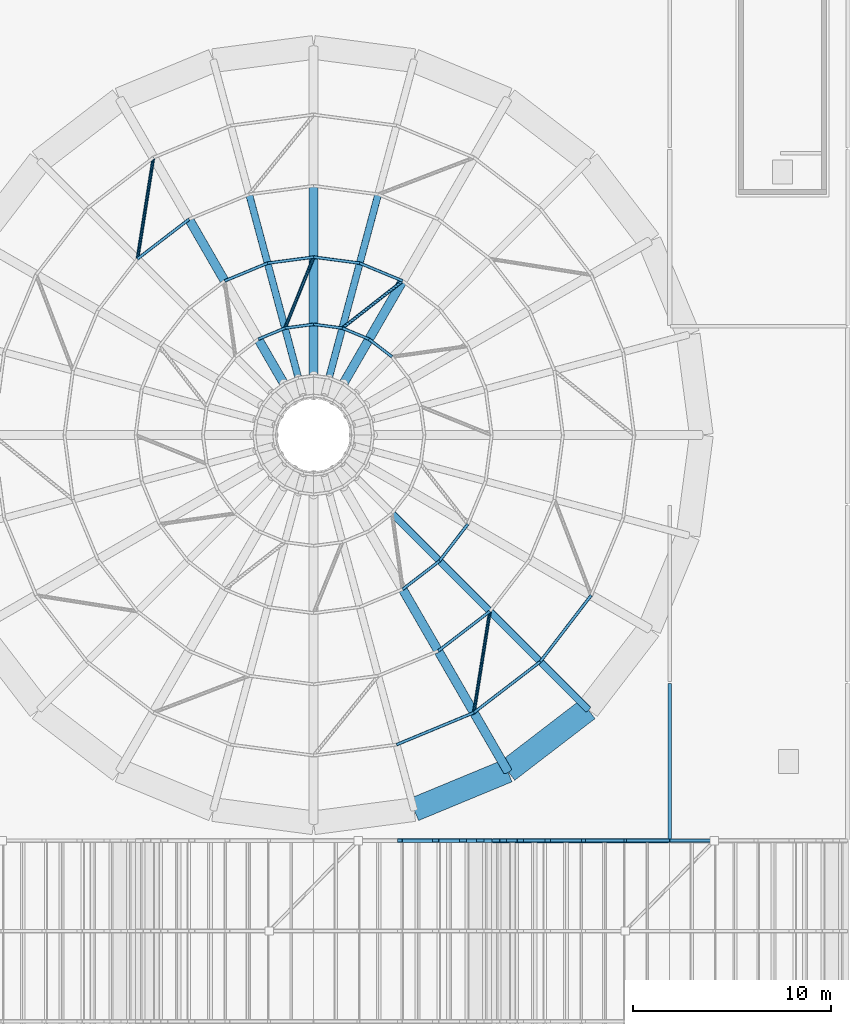
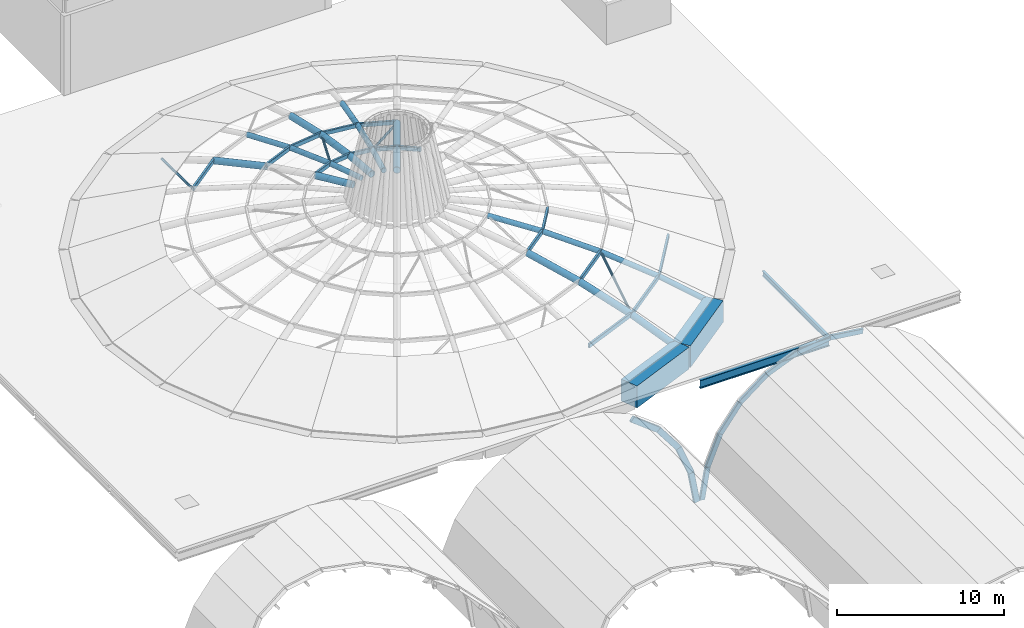
# One storey, part 10 of 25: 51 members, 4 beams.
"""IFC4 building model written with IfcOpenShell, lengths in metres."""

from ifc_helpers import new_model, si_unit, direction, frame, origin, origin_2d, place, context, subcontext, project, spatial, rectangle, hollow_rectangle, hollow_circle, i_section, extrude, material, material_profile, profile_set, type_object, element, save


model = new_model("IFC4")

# Units and contexts
model_context = context("Model", 3, precision=1e-05, world=origin(), true_north=direction((0.0, 1.0)))
body_context = subcontext(model_context, "Body", "Model", "MODEL_VIEW")
ifc_project = project(units=[si_unit("LENGTHUNIT", "METRE"), si_unit("AREAUNIT", "SQUARE_METRE"), si_unit("VOLUMEUNIT", "CUBIC_METRE"), si_unit("PLANEANGLEUNIT", "RADIAN"), si_unit("MASSUNIT", "GRAM", prefix="KILO")], contexts=[model_context])

# Site, building, storey
site_placement = place(None, origin())
site = spatial("IfcSite", under=ifc_project, at=site_placement, CompositionType="ELEMENT")
building_placement = place(site_placement, origin())
building = spatial("IfcBuilding", under=site, at=building_placement, Name="Marnock Terrace Opera House", CompositionType="ELEMENT")
storey_placement = place(building_placement, frame((0.0, 0.0, 28.199951171875)))
storey = spatial("IfcBuildingStorey", under=building, at=storey_placement, Name="RF", CompositionType="ELEMENT", Elevation=28.199951171875)

# Beams
ifc_material_1 = material(Name="Steel Grade 350 (AS/NZS 3679.1)", Category="steel")
ifc_material_profile_1 = material_profile(ifc_material_1, i_section(OverallWidth=0.1708984375, OverallDepth=0.355712890625, WebThickness=0.00732421875, FlangeThickness=0.011474609375, FilletRadius=0.011474609375, at=origin_2d()))
ifc_profile_set_1 = profile_set([ifc_material_profile_1], Name="Steel Grade 350 (AS/NZS 3679.1)")
beam_type_1 = type_object("IfcBeamType", Name="BM-GIRD-360", PredefinedType="BEAM", material=ifc_profile_set_1)
beam_1_placement = place(storey_placement, frame((100.0, 40.050048828125, -0.397705078125), z_axis=(0.0, 1.0, 0.0), x_axis=(-1.0, 0.0, 0.0)))
element("IfcBeam", 1, at=beam_1_placement, inside=storey, type_object=beam_type_1, Name="RF girder (X=100.0, 40.0..48.0)", PredefinedType="BEAM", context=body_context, shape_type="SweptSolid", body=[
    extrude(i_section(OverallWidth=0.1708984375, OverallDepth=0.355712890625, WebThickness=0.00732421875, FlangeThickness=0.011474609375, FilletRadius=0.011474609375, at=origin_2d()), origin(), (0.0, 0.0, 1.0), 7.89990234375),
])
ifc_material_profile_2 = material_profile(ifc_material_1, i_section(OverallWidth=0.22802734375, OverallDepth=0.60693359375, WebThickness=0.01123046875, FlangeThickness=0.017333984375, FilletRadius=0.013916015625, at=origin_2d()))
ifc_profile_set_2 = profile_set([ifc_material_profile_2], Name="Steel Grade 350 (AS/NZS 3679.1)")
beam_type_2 = type_object("IfcBeamType", Name="BM-GIRD-610B", PredefinedType="BEAM", material=ifc_profile_set_2)
beam_2_placement = place(storey_placement, frame((91.050048828125, 40.0, -0.5234375), z_axis=(1.0, 0.0, 0.0), x_axis=(0.0, 1.0, 0.0)))
element("IfcBeam", 2, at=beam_2_placement, inside=storey, type_object=beam_type_2, Name="RF girder (91.0..100.0, Y=40.0)", PredefinedType="BEAM", context=body_context, shape_type="SweptSolid", body=[
    extrude(i_section(OverallWidth=0.22802734375, OverallDepth=0.60693359375, WebThickness=0.01123046875, FlangeThickness=0.017333984375, FilletRadius=0.013916015625, at=origin_2d()), origin(), (0.0, 0.0, 1.0), 8.89990234375),
])
ifc_material_2 = material(Name="Concrete N50 (f'c = 50 MPa)", Category="concrete")
ifc_material_profile_3 = material_profile(ifc_material_2, rectangle(XDim=1.199951171875, YDim=1.60009765625, at=origin_2d()))
ifc_profile_set_3 = profile_set([ifc_material_profile_3], Name="Concrete N50 (f'c = 50 MPa)")
beam_type_3 = type_object("IfcBeamType", Name="BM-RING-RC1200", PredefinedType="BEAM", material=ifc_profile_set_3)
for number, where, z_axis, x_axis, name in (
    (3, (87.072998046875, 41.568115234375, -0.800048828125), (0.923896452635, 0.382642581018, 0.0), (-0.382642581018, 0.923896452635, 0.0), "Auditorium drum Concrete N50 ring beam segment 20"),
    (4, (91.800048828125, 43.52587890625, -0.800048828125), (0.793279847731, 0.608857194409, 0.0), (-0.608857194409, 0.793279847731, 0.0), "Auditorium drum Concrete N50 ring beam segment 21"),
):
    element("IfcBeam", number, at=place(storey_placement, frame(where, z_axis=z_axis, x_axis=x_axis)), inside=storey, type_object=beam_type_3, Name=name, PredefinedType="BEAM", context=body_context, shape_type="SweptSolid", body=[
        extrude(rectangle(XDim=1.199951171875, YDim=1.60009765625, at=origin_2d()), origin(), (0.0, 0.0, 1.0), 5.116455078125),
    ])

# Members
ifc_material_3 = material(Name="Cold-formed Steel Grade C350L0 (AS/NZS 1163)", Category="steel")
ifc_material_profile_4 = material_profile(ifc_material_3, hollow_circle(Radius=0.084228515625, WallThickness=0.007080078125, at=origin_2d()))
ifc_profile_set_4 = profile_set([ifc_material_profile_4], Name="Cold-formed Steel Grade C350L0 (AS/NZS 1163)")
member_type_1 = type_object("IfcMemberType", Name="MEM-BRACE-CHS2", PredefinedType="BRACE", material=ifc_profile_set_4)
for number, where, z_axis, x_axis, name in (
    (5, (86.5, 68.294189453125, 2.915283203125), (-0.779143840426, -0.609160158233, 0.147847142509), (0.615929081092, -0.787801603873, 0.0), "Auditorium dome diagonal shell brace 3.5"),
    (6, (82.0, 69.5, 2.915283203125), (-0.370199556892, -0.917112191808, 0.147842875087), (0.92730244677, -0.374312933538, 0.0), "Auditorium dome diagonal shell brace 3.7"),
):
    element("IfcMember", number, at=place(storey_placement, frame(where, z_axis=z_axis, x_axis=x_axis)), inside=storey, type_object=member_type_1, Name=name, PredefinedType="BRACE", context=body_context, shape_type="SweptSolid", body=[
        extrude(hollow_circle(Radius=0.084228515625, WallThickness=0.007080078125, at=origin_2d()), origin(), (0.0, 0.0, 1.0), 3.915283203125),
    ])
for number, where, z_axis, x_axis, name in (
    (7, (73.89990234375, 74.529541015625, 0.932861328125), (-0.15213395628, -0.962459526729, 0.224781936006), (0.987736601881, -0.156129450469, 0.0), "Auditorium dome diagonal shell brace 1.9"),
    (8, (90.10009765625, 46.470458984375, 0.932861328125), (0.15213395628, 0.962459526729, 0.224781936006), (-0.987736601881, 0.156129450469, 0.0), "Auditorium dome diagonal shell brace 1.21"),
):
    element("IfcMember", number, at=place(storey_placement, frame(where, z_axis=z_axis, x_axis=x_axis)), inside=storey, type_object=member_type_1, Name=name, PredefinedType="BRACE", context=body_context, shape_type="SweptSolid", body=[
        extrude(hollow_circle(Radius=0.084228515625, WallThickness=0.007080078125, at=origin_2d()), origin(), (0.0, 0.0, 1.0), 5.31982421875),
    ])
ifc_material_profile_5 = material_profile(ifc_material_3, hollow_circle(Radius=0.228515625, WallThickness=0.0126953125, at=origin_2d()))
ifc_profile_set_5 = profile_set([ifc_material_profile_5], Name="Cold-formed Steel Grade C350L0 (AS/NZS 1163)")
member_type_2 = type_object("IfcMemberType", Name="MEM-DOME-RIB1", PredefinedType="RAFTER", material=ifc_profile_set_5)
member_1_placement = place(storey_placement, frame((86.5, 68.294189453125, 2.915283203125), z_axis=(-0.494089297622, -0.855768624059, 0.15341391088), x_axis=(0.866020560687, -0.500008388397, 0.0)))
element("IfcMember", 9, at=member_1_placement, inside=storey, type_object=member_type_2, Name="Auditorium dome meridian steel rib 5.4", PredefinedType="RAFTER", context=body_context, shape_type="SweptSolid", body=[
    extrude(hollow_circle(Radius=0.228515625, WallThickness=0.0126953125, at=origin_2d()), origin(), (0.0, 0.0, 1.0), 3.440673828125),
])
member_2_placement = place(storey_placement, frame((84.800048828125, 65.349853515625, 3.443115234375), z_axis=(-0.497962640626, -0.862480644975, 0.090334631145), x_axis=(0.866021400173, -0.500006934395, 0.0)))
element("IfcMember", 10, at=member_2_placement, inside=storey, type_object=member_type_2, Name="Auditorium dome meridian steel rib 5.5", PredefinedType="RAFTER", context=body_context, shape_type="SweptSolid", body=[
    extrude(hollow_circle(Radius=0.228515625, WallThickness=0.0126953125, at=origin_2d()), origin(), (0.0, 0.0, 1.0), 2.61083984375),
])
member_3_placement = place(storey_placement, frame((82.0, 73.10009765625, 2.076171875), z_axis=(0.0, -0.973895743392, 0.226995773094), x_axis=(1.0, 0.0, 0.0)))
element("IfcMember", 11, at=member_3_placement, inside=storey, type_object=member_type_2, Name="Auditorium dome meridian steel rib 7.3", PredefinedType="RAFTER", context=body_context, shape_type="SweptSolid", body=[
    extrude(hollow_circle(Radius=0.228515625, WallThickness=0.0126953125, at=origin_2d()), origin(), (0.0, 0.0, 1.0), 3.696533203125),
])
member_4_placement = place(storey_placement, frame((82.0, 69.5, 2.915283203125), z_axis=(0.0, -0.988162407226, 0.153411397704), x_axis=(1.0, 0.0, 0.0)))
element("IfcMember", 12, at=member_4_placement, inside=storey, type_object=member_type_2, Name="Auditorium dome meridian steel rib 7.4", PredefinedType="RAFTER", context=body_context, shape_type="SweptSolid", body=[
    extrude(hollow_circle(Radius=0.228515625, WallThickness=0.0126953125, at=origin_2d()), origin(), (0.0, 0.0, 1.0), 3.440673828125),
])
member_5_placement = place(storey_placement, frame((82.0, 66.10009765625, 3.443115234375), z_axis=(0.0, -0.995911581875, 0.090333388553), x_axis=(1.0, 0.0, 0.0)))
element("IfcMember", 13, at=member_5_placement, inside=storey, type_object=member_type_2, Name="Auditorium dome meridian steel rib 7.5", PredefinedType="RAFTER", context=body_context, shape_type="SweptSolid", body=[
    extrude(hollow_circle(Radius=0.228515625, WallThickness=0.0126953125, at=origin_2d()), origin(), (0.0, 0.0, 1.0), 2.61083984375),
])
member_6_placement = place(storey_placement, frame((75.699951171875, 71.411865234375, 2.076171875), z_axis=(0.486959009386, -0.843410626592, 0.227000965043), x_axis=(0.866018442252, 0.500012057535, 0.0)))
element("IfcMember", 14, at=member_6_placement, inside=storey, type_object=member_type_2, Name="Auditorium dome meridian steel rib 9.3", PredefinedType="RAFTER", context=body_context, shape_type="SweptSolid", body=[
    extrude(hollow_circle(Radius=0.228515625, WallThickness=0.0126953125, at=origin_2d()), origin(), (0.0, 0.0, 1.0), 3.696533203125),
])
member_7_placement = place(storey_placement, frame((79.199951171875, 65.349853515625, 3.443115234375), z_axis=(0.497962640626, -0.862480644975, 0.090334631145), x_axis=(0.866021400173, 0.500006934395, 0.0)))
element("IfcMember", 15, at=member_7_placement, inside=storey, type_object=member_type_2, Name="Auditorium dome meridian steel rib 9.5", PredefinedType="RAFTER", context=body_context, shape_type="SweptSolid", body=[
    extrude(hollow_circle(Radius=0.228515625, WallThickness=0.0126953125, at=origin_2d()), origin(), (0.0, 0.0, 1.0), 2.61083984375),
])
member_8_placement = place(storey_placement, frame((91.800048828125, 43.52587890625, -0.447509765625), z_axis=(-0.463255093536, 0.802429941568, 0.376166063313), x_axis=(-0.866038511948, -0.499977295307, 0.0)))
element("IfcMember", 16, at=member_8_placement, inside=storey, type_object=member_type_2, Name="Auditorium dome meridian steel rib 21.1", PredefinedType="RAFTER", context=body_context, shape_type="SweptSolid", body=[
    extrude(hollow_circle(Radius=0.228515625, WallThickness=0.0126953125, at=origin_2d()), origin(), (0.0, 0.0, 1.0), 3.669677734375),
])
member_9_placement = place(storey_placement, frame((90.10009765625, 46.470458984375, 0.932861328125), z_axis=(-0.476556444732, 0.825393435403, 0.302687349882), x_axis=(-0.866018442252, -0.500012057535, 0.0)))
element("IfcMember", 17, at=member_9_placement, inside=storey, type_object=member_type_2, Name="Auditorium dome meridian steel rib 21.2", PredefinedType="RAFTER", context=body_context, shape_type="SweptSolid", body=[
    extrude(hollow_circle(Radius=0.228515625, WallThickness=0.0126953125, at=origin_2d()), origin(), (0.0, 0.0, 1.0), 3.777099609375),
])
member_10_placement = place(storey_placement, frame((88.300048828125, 49.588134765625, 2.076171875), z_axis=(-0.486959009386, 0.843410626592, 0.227000965043), x_axis=(-0.866018442252, -0.500012057535, 0.0)))
element("IfcMember", 18, at=member_10_placement, inside=storey, type_object=member_type_2, Name="Auditorium dome meridian steel rib 21.3", PredefinedType="RAFTER", context=body_context, shape_type="SweptSolid", body=[
    extrude(hollow_circle(Radius=0.228515625, WallThickness=0.0126953125, at=origin_2d()), origin(), (0.0, 0.0, 1.0), 3.696533203125),
])
ifc_material_profile_6 = material_profile(ifc_material_3, hollow_circle(Radius=0.177734375, WallThickness=0.0126953125, at=origin_2d()))
ifc_profile_set_6 = profile_set([ifc_material_profile_6], Name="Cold-formed Steel Grade C350L0 (AS/NZS 1163)")
member_type_3 = type_object("IfcMemberType", Name="MEM-DOME-RIB2", PredefinedType="RAFTER", material=ifc_profile_set_6)
member_11_placement = place(storey_placement, frame((85.26123046875, 72.670654296875, 2.128662109375), z_axis=(-0.252114471399, -0.940756200194, 0.226751108282), x_axis=(0.96591565891, -0.258856987296, 0.0)))
element("IfcMember", 19, at=member_11_placement, inside=storey, type_object=member_type_3, Name="Auditorium dome meridian steel rib 6.3", PredefinedType="RAFTER", context=body_context, shape_type="SweptSolid", body=[
    extrude(hollow_circle(Radius=0.177734375, WallThickness=0.0126953125, at=origin_2d()), origin(), (0.0, 0.0, 1.0), 3.6962890625),
])
member_12_placement = place(storey_placement, frame((84.329345703125, 69.193359375, 2.966796875), z_axis=(-0.255731036814, -0.954521061938, 0.153268323951), x_axis=(0.965933949521, -0.258788726886, 0.0)))
element("IfcMember", 20, at=member_12_placement, inside=storey, type_object=member_type_3, Name="Auditorium dome meridian steel rib 6.4", PredefinedType="RAFTER", context=body_context, shape_type="SweptSolid", body=[
    extrude(hollow_circle(Radius=0.177734375, WallThickness=0.0126953125, at=origin_2d()), origin(), (0.0, 0.0, 1.0), 3.440673828125),
])
member_13_placement = place(storey_placement, frame((83.449462890625, 65.9091796875, 3.494140625), z_axis=(-0.257815999304, -0.961970687285, 0.090240275418), x_axis=(0.965911584099, -0.258872191831, 0.0)))
element("IfcMember", 21, at=member_13_placement, inside=storey, type_object=member_type_3, Name="Auditorium dome meridian steel rib 6.5", PredefinedType="RAFTER", context=body_context, shape_type="SweptSolid", body=[
    extrude(hollow_circle(Radius=0.177734375, WallThickness=0.0126953125, at=origin_2d()), origin(), (0.0, 0.0, 1.0), 2.61083984375),
])
member_14_placement = place(storey_placement, frame((78.73876953125, 72.670654296875, 2.128662109375), z_axis=(0.252114471399, -0.940756200194, 0.226751108282), x_axis=(0.96591565891, 0.258856987296, 0.0)))
element("IfcMember", 22, at=member_14_placement, inside=storey, type_object=member_type_3, Name="Auditorium dome meridian steel rib 8.3", PredefinedType="RAFTER", context=body_context, shape_type="SweptSolid", body=[
    extrude(hollow_circle(Radius=0.177734375, WallThickness=0.0126953125, at=origin_2d()), origin(), (0.0, 0.0, 1.0), 3.6962890625),
])
member_15_placement = place(storey_placement, frame((79.670654296875, 69.193359375, 2.966796875), z_axis=(0.255731036814, -0.954521061938, 0.153268323951), x_axis=(0.965933949521, 0.258788726886, 0.0)))
element("IfcMember", 23, at=member_15_placement, inside=storey, type_object=member_type_3, Name="Auditorium dome meridian steel rib 8.4", PredefinedType="RAFTER", context=body_context, shape_type="SweptSolid", body=[
    extrude(hollow_circle(Radius=0.177734375, WallThickness=0.0126953125, at=origin_2d()), origin(), (0.0, 0.0, 1.0), 3.440673828125),
])
member_16_placement = place(storey_placement, frame((80.550537109375, 65.9091796875, 3.494140625), z_axis=(0.257815999304, -0.961970687285, 0.090240275418), x_axis=(0.965911584099, 0.258872191831, 0.0)))
element("IfcMember", 24, at=member_16_placement, inside=storey, type_object=member_type_3, Name="Auditorium dome meridian steel rib 8.5", PredefinedType="RAFTER", context=body_context, shape_type="SweptSolid", body=[
    extrude(hollow_circle(Radius=0.177734375, WallThickness=0.0126953125, at=origin_2d()), origin(), (0.0, 0.0, 1.0), 2.61083984375),
])
member_17_placement = place(storey_placement, frame((95.859375, 46.640625, -0.39208984375), z_axis=(-0.655273344477, 0.655273344477, 0.375810707718), x_axis=(-0.707106781187, -0.707106781187, 0.0)))
element("IfcMember", 25, at=member_17_placement, inside=storey, type_object=member_type_3, Name="Auditorium dome meridian steel rib 22.1", PredefinedType="RAFTER", context=body_context, shape_type="SweptSolid", body=[
    extrude(hollow_circle(Radius=0.177734375, WallThickness=0.0126953125, at=origin_2d()), origin(), (0.0, 0.0, 1.0), 3.669189453125),
])
member_18_placement = place(storey_placement, frame((93.455078125, 49.044921875, 0.98681640625), z_axis=(-0.674016914939, 0.674016914939, 0.302328293006), x_axis=(-0.707106781187, -0.707106781187, 0.0)))
element("IfcMember", 26, at=member_18_placement, inside=storey, type_object=member_type_3, Name="Auditorium dome meridian steel rib 22.2", PredefinedType="RAFTER", context=body_context, shape_type="SweptSolid", body=[
    extrude(hollow_circle(Radius=0.177734375, WallThickness=0.0126953125, at=origin_2d()), origin(), (0.0, 0.0, 1.0), 3.77685546875),
])
member_19_placement = place(storey_placement, frame((90.909423828125, 51.590576171875, 2.128662109375), z_axis=(-0.688686175837, 0.688686175837, 0.226765743492), x_axis=(-0.707106781187, -0.707106781187, 0.0)))
element("IfcMember", 27, at=member_19_placement, inside=storey, type_object=member_type_3, Name="Auditorium dome meridian steel rib 22.3", PredefinedType="RAFTER", context=body_context, shape_type="SweptSolid", body=[
    extrude(hollow_circle(Radius=0.177734375, WallThickness=0.0126953125, at=origin_2d()), origin(), (0.0, 0.0, 1.0), 3.696044921875),
])
member_20_placement = place(storey_placement, frame((88.364013671875, 54.135986328125, 2.966796875), z_axis=(-0.698752930171, 0.698752930171, 0.153260187771), x_axis=(-0.707106781187, -0.707106781187, 0.0)))
element("IfcMember", 28, at=member_20_placement, inside=storey, type_object=member_type_3, Name="Auditorium dome meridian steel rib 22.4", PredefinedType="RAFTER", context=body_context, shape_type="SweptSolid", body=[
    extrude(hollow_circle(Radius=0.177734375, WallThickness=0.0126953125, at=origin_2d()), origin(), (0.0, 0.0, 1.0), 3.44091796875),
])
ifc_material_profile_7 = material_profile(ifc_material_3, hollow_rectangle(XDim=0.14990234375, YDim=0.300048828125, WallThickness=0.010009765625, InnerFilletRadius=0.010009765625, OuterFilletRadius=0.02001953125, at=origin_2d()))
ifc_profile_set_7 = profile_set([ifc_material_profile_7], Name="Cold-formed Steel Grade C350L0 (AS/NZS 1163)")
member_type_4 = type_object("IfcMemberType", Name="MEM-DOME-RING1", PredefinedType="PURLIN", material=ifc_profile_set_7)
member_21_placement = place(storey_placement, frame((85.959716796875, 64.459716796875, 3.516357421875), z_axis=(-0.793256801245, 0.608887220492, 0.0), x_axis=(-0.608887220492, -0.793256801245, 0.0)))
element("IfcMember", 29, at=member_21_placement, inside=storey, type_object=member_type_4, Name="Auditorium dome latitude purlin ring 4.4", PredefinedType="PURLIN", context=body_context, shape_type="SweptSolid", body=[
    extrude(hollow_rectangle(XDim=0.14990234375, YDim=0.300048828125, WallThickness=0.010009765625, InnerFilletRadius=0.010009765625, OuterFilletRadius=0.02001953125, at=origin_2d()), origin(), (0.0, 0.0, 1.0), 1.4619140625),
])
member_22_placement = place(storey_placement, frame((86.5, 68.294189453125, 2.985595703125), z_axis=(-0.92387118479, 0.382703584926, 0.0), x_axis=(-0.382703584926, -0.92387118479, 0.0)))
element("IfcMember", 30, at=member_22_placement, inside=storey, type_object=member_type_4, Name="Auditorium dome latitude purlin ring 3.5", PredefinedType="PURLIN", context=body_context, shape_type="SweptSolid", body=[
    extrude(hollow_rectangle(XDim=0.14990234375, YDim=0.300048828125, WallThickness=0.010009765625, InnerFilletRadius=0.010009765625, OuterFilletRadius=0.02001953125, at=origin_2d()), origin(), (0.0, 0.0, 1.0), 2.349609375),
])
member_23_placement = place(storey_placement, frame((84.800048828125, 65.349853515625, 3.516357421875), z_axis=(-0.923904886994, 0.382622215492, 0.0), x_axis=(-0.382622215492, -0.923904886994, 0.0)))
element("IfcMember", 31, at=member_23_placement, inside=storey, type_object=member_type_4, Name="Auditorium dome latitude purlin ring 4.5", PredefinedType="PURLIN", context=body_context, shape_type="SweptSolid", body=[
    extrude(hollow_rectangle(XDim=0.14990234375, YDim=0.300048828125, WallThickness=0.010009765625, InnerFilletRadius=0.010009765625, OuterFilletRadius=0.02001953125, at=origin_2d()), origin(), (0.0, 0.0, 1.0), 1.4619140625),
])
member_24_placement = place(storey_placement, frame((84.329345703125, 69.193359375, 2.985595703125), z_axis=(-0.991446158732, 0.130516337425, 0.0), x_axis=(-0.130516337425, -0.991446158732, 0.0)))
element("IfcMember", 32, at=member_24_placement, inside=storey, type_object=member_type_4, Name="Auditorium dome latitude purlin ring 3.6", PredefinedType="PURLIN", context=body_context, shape_type="SweptSolid", body=[
    extrude(hollow_rectangle(XDim=0.14990234375, YDim=0.300048828125, WallThickness=0.010009765625, InnerFilletRadius=0.010009765625, OuterFilletRadius=0.02001953125, at=origin_2d()), origin(), (0.0, 0.0, 1.0), 2.349365234375),
])
member_25_placement = place(storey_placement, frame((83.449462890625, 65.9091796875, 3.516357421875), z_axis=(-0.991436666421, 0.130588423975, 0.0), x_axis=(-0.130588423975, -0.991436666421, 0.0)))
element("IfcMember", 33, at=member_25_placement, inside=storey, type_object=member_type_4, Name="Auditorium dome latitude purlin ring 4.6", PredefinedType="PURLIN", context=body_context, shape_type="SweptSolid", body=[
    extrude(hollow_rectangle(XDim=0.14990234375, YDim=0.300048828125, WallThickness=0.010009765625, InnerFilletRadius=0.010009765625, OuterFilletRadius=0.02001953125, at=origin_2d()), origin(), (0.0, 0.0, 1.0), 1.4619140625),
])
member_26_placement = place(storey_placement, frame((82.0, 69.5, 2.985595703125), z_axis=(-0.991446158732, -0.130516337425, 0.0), x_axis=(0.130516337425, -0.991446158732, 0.0)))
element("IfcMember", 34, at=member_26_placement, inside=storey, type_object=member_type_4, Name="Auditorium dome latitude purlin ring 3.7", PredefinedType="PURLIN", context=body_context, shape_type="SweptSolid", body=[
    extrude(hollow_rectangle(XDim=0.14990234375, YDim=0.300048828125, WallThickness=0.010009765625, InnerFilletRadius=0.010009765625, OuterFilletRadius=0.02001953125, at=origin_2d()), origin(), (0.0, 0.0, 1.0), 2.349365234375),
])
member_27_placement = place(storey_placement, frame((82.0, 66.10009765625, 3.516357421875), z_axis=(-0.991436666421, -0.130588423975, 0.0), x_axis=(0.130588423975, -0.991436666421, 0.0)))
element("IfcMember", 35, at=member_27_placement, inside=storey, type_object=member_type_4, Name="Auditorium dome latitude purlin ring 4.7", PredefinedType="PURLIN", context=body_context, shape_type="SweptSolid", body=[
    extrude(hollow_rectangle(XDim=0.14990234375, YDim=0.300048828125, WallThickness=0.010009765625, InnerFilletRadius=0.010009765625, OuterFilletRadius=0.02001953125, at=origin_2d()), origin(), (0.0, 0.0, 1.0), 1.4619140625),
])
member_28_placement = place(storey_placement, frame((79.670654296875, 69.193359375, 2.985595703125), z_axis=(-0.92387118479, -0.382703584926, 0.0), x_axis=(0.382703584926, -0.92387118479, 0.0)))
element("IfcMember", 36, at=member_28_placement, inside=storey, type_object=member_type_4, Name="Auditorium dome latitude purlin ring 3.8", PredefinedType="PURLIN", context=body_context, shape_type="SweptSolid", body=[
    extrude(hollow_rectangle(XDim=0.14990234375, YDim=0.300048828125, WallThickness=0.010009765625, InnerFilletRadius=0.010009765625, OuterFilletRadius=0.02001953125, at=origin_2d()), origin(), (0.0, 0.0, 1.0), 2.349609375),
])
member_29_placement = place(storey_placement, frame((80.550537109375, 65.9091796875, 3.516357421875), z_axis=(-0.923904886994, -0.382622215492, 0.0), x_axis=(0.382622215492, -0.923904886994, 0.0)))
element("IfcMember", 37, at=member_29_placement, inside=storey, type_object=member_type_4, Name="Auditorium dome latitude purlin ring 4.8", PredefinedType="PURLIN", context=body_context, shape_type="SweptSolid", body=[
    extrude(hollow_rectangle(XDim=0.14990234375, YDim=0.300048828125, WallThickness=0.010009765625, InnerFilletRadius=0.010009765625, OuterFilletRadius=0.02001953125, at=origin_2d()), origin(), (0.0, 0.0, 1.0), 1.4619140625),
])
member_30_placement = place(storey_placement, frame((75.699951171875, 71.411865234375, 2.14453125), z_axis=(-0.79332433268, -0.608799230599, 0.0), x_axis=(0.608799230599, -0.79332433268, 0.0)))
element("IfcMember", 38, at=member_30_placement, inside=storey, type_object=member_type_4, Name="Auditorium dome latitude purlin ring 2.9", PredefinedType="PURLIN", context=body_context, shape_type="SweptSolid", body=[
    extrude(hollow_rectangle(XDim=0.14990234375, YDim=0.300048828125, WallThickness=0.010009765625, InnerFilletRadius=0.010009765625, OuterFilletRadius=0.02001953125, at=origin_2d()), origin(), (0.0, 0.0, 1.0), 3.2890625),
])
member_31_placement = place(storey_placement, frame((86.19287109375, 44.85205078125, 1.000732421875), z_axis=(0.923881039826, 0.382679793365, 0.0), x_axis=(-0.382679793365, 0.923881039826, 0.0)))
element("IfcMember", 39, at=member_31_placement, inside=storey, type_object=member_type_4, Name="Auditorium dome latitude purlin ring 1.20", PredefinedType="PURLIN", context=body_context, shape_type="SweptSolid", body=[
    extrude(hollow_rectangle(XDim=0.14990234375, YDim=0.300048828125, WallThickness=0.010009765625, InnerFilletRadius=0.010009765625, OuterFilletRadius=0.02001953125, at=origin_2d()), origin(), (0.0, 0.0, 1.0), 4.229248046875),
])
member_32_placement = place(storey_placement, frame((90.10009765625, 46.470458984375, 1.000732421875), z_axis=(0.793342395594, 0.608775692151, 0.0), x_axis=(-0.608775692151, 0.793342395594, 0.0)))
element("IfcMember", 40, at=member_32_placement, inside=storey, type_object=member_type_4, Name="Auditorium dome latitude purlin ring 1.21", PredefinedType="PURLIN", context=body_context, shape_type="SweptSolid", body=[
    extrude(hollow_rectangle(XDim=0.14990234375, YDim=0.300048828125, WallThickness=0.010009765625, InnerFilletRadius=0.010009765625, OuterFilletRadius=0.02001953125, at=origin_2d()), origin(), (0.0, 0.0, 1.0), 4.22900390625),
])
member_33_placement = place(storey_placement, frame((88.300048828125, 49.588134765625, 2.14453125), z_axis=(0.79332433268, 0.608799230599, 0.0), x_axis=(-0.608799230599, 0.79332433268, 0.0)))
element("IfcMember", 41, at=member_33_placement, inside=storey, type_object=member_type_4, Name="Auditorium dome latitude purlin ring 2.21", PredefinedType="PURLIN", context=body_context, shape_type="SweptSolid", body=[
    extrude(hollow_rectangle(XDim=0.14990234375, YDim=0.300048828125, WallThickness=0.010009765625, InnerFilletRadius=0.010009765625, OuterFilletRadius=0.02001953125, at=origin_2d()), origin(), (0.0, 0.0, 1.0), 3.2890625),
])
member_34_placement = place(storey_placement, frame((86.5, 52.705810546875, 2.985595703125), z_axis=(0.793380518121, 0.608726008534, 0.0), x_axis=(-0.608726008534, 0.793380518121, 0.0)))
element("IfcMember", 42, at=member_34_placement, inside=storey, type_object=member_type_4, Name="Auditorium dome latitude purlin ring 3.21", PredefinedType="PURLIN", context=body_context, shape_type="SweptSolid", body=[
    extrude(hollow_rectangle(XDim=0.14990234375, YDim=0.300048828125, WallThickness=0.010009765625, InnerFilletRadius=0.010009765625, OuterFilletRadius=0.02001953125, at=origin_2d()), origin(), (0.0, 0.0, 1.0), 2.349365234375),
])
member_35_placement = place(storey_placement, frame((93.455078125, 49.044921875, 1.000732421875), z_axis=(0.608775692151, 0.793342395594, 0.0), x_axis=(-0.793342395594, 0.608775692151, 0.0)))
element("IfcMember", 43, at=member_35_placement, inside=storey, type_object=member_type_4, Name="Auditorium dome latitude purlin ring 1.22", PredefinedType="PURLIN", context=body_context, shape_type="SweptSolid", body=[
    extrude(hollow_rectangle(XDim=0.14990234375, YDim=0.300048828125, WallThickness=0.010009765625, InnerFilletRadius=0.010009765625, OuterFilletRadius=0.02001953125, at=origin_2d()), origin(), (0.0, 0.0, 1.0), 4.22900390625),
])
member_36_placement = place(storey_placement, frame((88.364013671875, 54.135986328125, 2.985595703125), z_axis=(0.608726008534, 0.793380518121, 0.0), x_axis=(-0.793380518121, 0.608726008534, 0.0)))
element("IfcMember", 44, at=member_36_placement, inside=storey, type_object=member_type_4, Name="Auditorium dome latitude purlin ring 3.22", PredefinedType="PURLIN", context=body_context, shape_type="SweptSolid", body=[
    extrude(hollow_rectangle(XDim=0.14990234375, YDim=0.300048828125, WallThickness=0.010009765625, InnerFilletRadius=0.010009765625, OuterFilletRadius=0.02001953125, at=origin_2d()), origin(), (0.0, 0.0, 1.0), 2.349365234375),
])
ifc_material_profile_8 = material_profile(ifc_material_3, hollow_rectangle(XDim=0.199951171875, YDim=0.39990234375, WallThickness=0.012451171875, InnerFilletRadius=0.012451171875, OuterFilletRadius=0.02490234375, at=origin_2d()))
ifc_profile_set_8 = profile_set([ifc_material_profile_8], Name="Cold-formed Steel Grade C350L0 (AS/NZS 1163)")
member_type_5 = type_object("IfcMemberType", Name="MEM-VAULT-ARCH1", PredefinedType="CHORD", material=ifc_profile_set_8)
for number, where, z_axis, x_axis, name in (
    (45, (86.360107421875, 40.0, -1.4482421875), (0.793349078761, 0.0, -0.608766982702), (0.0, 1.0, 0.0), "Barrel vault 2 station 8 arch chord 9"),
    (46, (88.166015625, 40.0, -2.833984375), (0.608766982702, 0.0, -0.793349078761), (0.0, 1.0, 0.0), "Barrel vault 2 station 8 arch chord 10"),
):
    element("IfcMember", number, at=place(storey_placement, frame(where, z_axis=z_axis, x_axis=x_axis)), inside=storey, type_object=member_type_5, Name=name, PredefinedType="CHORD", context=body_context, shape_type="SweptSolid", body=[
        extrude(hollow_rectangle(XDim=0.199951171875, YDim=0.39990234375, WallThickness=0.012451171875, InnerFilletRadius=0.012451171875, OuterFilletRadius=0.02490234375, at=origin_2d()), origin(), (0.0, 0.0, 1.0), 2.2763671875),
    ])
member_37_placement = place(storey_placement, frame((89.5517578125, 40.0, -4.639892578125), z_axis=(0.382642254796, 0.0, -0.923896587744), x_axis=(0.0, 1.0, 0.0)))
element("IfcMember", 47, at=member_37_placement, inside=storey, type_object=member_type_5, Name="Barrel vault 2 station 8 arch chord 11", PredefinedType="CHORD", context=body_context, shape_type="SweptSolid", body=[
    extrude(hollow_rectangle(XDim=0.199951171875, YDim=0.39990234375, WallThickness=0.012451171875, InnerFilletRadius=0.012451171875, OuterFilletRadius=0.02490234375, at=origin_2d()), origin(), (0.0, 0.0, 1.0), 2.276611328125),
])
member_38_placement = place(storey_placement, frame((90.4228515625, 40.0, -6.7431640625), z_axis=(0.173341635248, 0.0, -0.984861755522), x_axis=(0.0, 1.0, 0.0)))
element("IfcMember", 48, at=member_38_placement, inside=storey, type_object=member_type_5, Name="Barrel vault 2 station 8 arch chord 12", PredefinedType="CHORD", context=body_context, shape_type="SweptSolid", body=[
    extrude(hollow_rectangle(XDim=0.199951171875, YDim=0.39990234375, WallThickness=0.012451171875, InnerFilletRadius=0.012451171875, OuterFilletRadius=0.02490234375, at=origin_2d()), origin(), (0.0, 0.0, 1.0), 2.29150390625),
])
ifc_material_profile_9 = material_profile(ifc_material_3, hollow_rectangle(XDim=0.175048828125, YDim=0.35009765625, WallThickness=0.010009765625, InnerFilletRadius=0.010009765625, OuterFilletRadius=0.02001953125, at=origin_2d()))
ifc_profile_set_9 = profile_set([ifc_material_profile_9], Name="Cold-formed Steel Grade C350L0 (AS/NZS 1163)")
member_type_6 = type_object("IfcMemberType", Name="MEM-VAULT-ARCH2", PredefinedType="CHORD", material=ifc_profile_set_9)
member_39_placement = place(storey_placement, frame((91.179931640625, 40.0, -9.0), z_axis=(0.173341635248, 0.0, 0.984861755522), x_axis=(0.0, 1.0, 0.0)))
element("IfcMember", 49, at=member_39_placement, inside=storey, type_object=member_type_6, Name="Barrel vault 3 station 8 arch chord 1", PredefinedType="CHORD", context=body_context, shape_type="SweptSolid", body=[
    extrude(hollow_rectangle(XDim=0.175048828125, YDim=0.35009765625, WallThickness=0.010009765625, InnerFilletRadius=0.010009765625, OuterFilletRadius=0.02001953125, at=origin_2d()), origin(), (0.0, 0.0, 1.0), 2.29150390625),
])
member_40_placement = place(storey_placement, frame((91.5771484375, 40.0, -6.7431640625), z_axis=(0.382642254796, 0.0, 0.923896587744), x_axis=(0.0, 1.0, 0.0)))
element("IfcMember", 50, at=member_40_placement, inside=storey, type_object=member_type_6, Name="Barrel vault 3 station 8 arch chord 2", PredefinedType="CHORD", context=body_context, shape_type="SweptSolid", body=[
    extrude(hollow_rectangle(XDim=0.175048828125, YDim=0.35009765625, WallThickness=0.010009765625, InnerFilletRadius=0.010009765625, OuterFilletRadius=0.02001953125, at=origin_2d()), origin(), (0.0, 0.0, 1.0), 2.276611328125),
])
for number, where, z_axis, x_axis, name in (
    (51, (92.4482421875, 40.0, -4.639892578125), (0.608766982702, 0.0, 0.793349078761), (0.0, 1.0, 0.0), "Barrel vault 3 station 8 arch chord 3"),
    (52, (93.833984375, 40.0, -2.833984375), (0.793349078761, 0.0, 0.608766982702), (0.0, 1.0, 0.0), "Barrel vault 3 station 8 arch chord 4"),
):
    element("IfcMember", number, at=place(storey_placement, frame(where, z_axis=z_axis, x_axis=x_axis)), inside=storey, type_object=member_type_6, Name=name, PredefinedType="CHORD", context=body_context, shape_type="SweptSolid", body=[
        extrude(hollow_rectangle(XDim=0.175048828125, YDim=0.35009765625, WallThickness=0.010009765625, InnerFilletRadius=0.010009765625, OuterFilletRadius=0.02001953125, at=origin_2d()), origin(), (0.0, 0.0, 1.0), 2.2763671875),
    ])
member_41_placement = place(storey_placement, frame((95.639892578125, 40.0, -1.4482421875), z_axis=(0.923896587744, 0.0, 0.382642254796), x_axis=(0.0, 1.0, 0.0)))
element("IfcMember", 53, at=member_41_placement, inside=storey, type_object=member_type_6, Name="Barrel vault 3 station 8 arch chord 5", PredefinedType="CHORD", context=body_context, shape_type="SweptSolid", body=[
    extrude(hollow_rectangle(XDim=0.175048828125, YDim=0.35009765625, WallThickness=0.010009765625, InnerFilletRadius=0.010009765625, OuterFilletRadius=0.02001953125, at=origin_2d()), origin(), (0.0, 0.0, 1.0), 2.276611328125),
])
for number, where, z_axis, x_axis, name in (
    (54, (97.7431640625, 40.0, -0.5771484375), (0.991444801521, 0.0, 0.130526646847), (0.0, 1.0, 0.0), "Barrel vault 3 station 8 arch chord 6"),
    (55, (100.0, 40.0, -0.280029296875), (0.991444801521, 0.0, -0.130526646847), (0.0, 1.0, 0.0), "Barrel vault 3 station 8 arch chord 7"),
):
    element("IfcMember", number, at=place(storey_placement, frame(where, z_axis=z_axis, x_axis=x_axis)), inside=storey, type_object=member_type_6, Name=name, PredefinedType="CHORD", context=body_context, shape_type="SweptSolid", body=[
        extrude(hollow_rectangle(XDim=0.175048828125, YDim=0.35009765625, WallThickness=0.010009765625, InnerFilletRadius=0.010009765625, OuterFilletRadius=0.02001953125, at=origin_2d()), origin(), (0.0, 0.0, 1.0), 2.2763671875),
    ])

save(model, "model.ifc")
